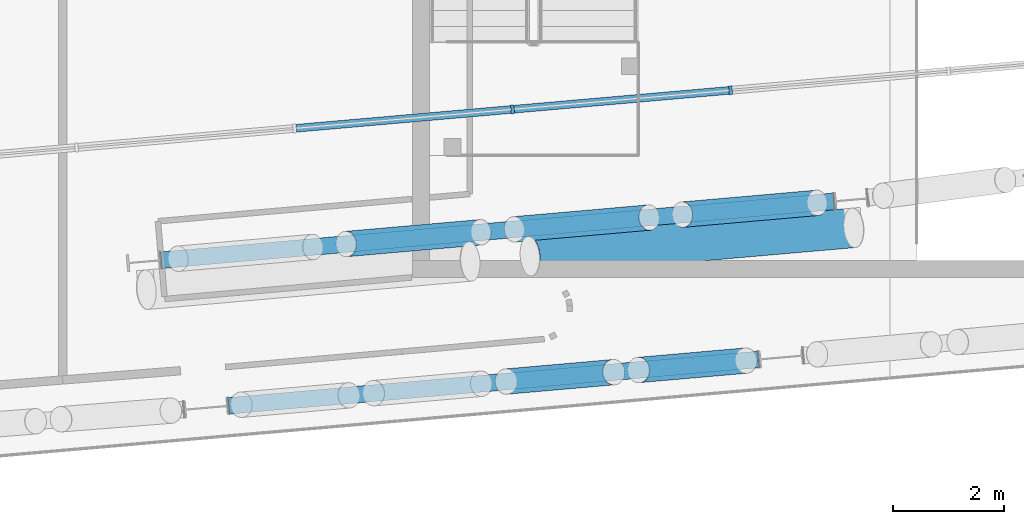
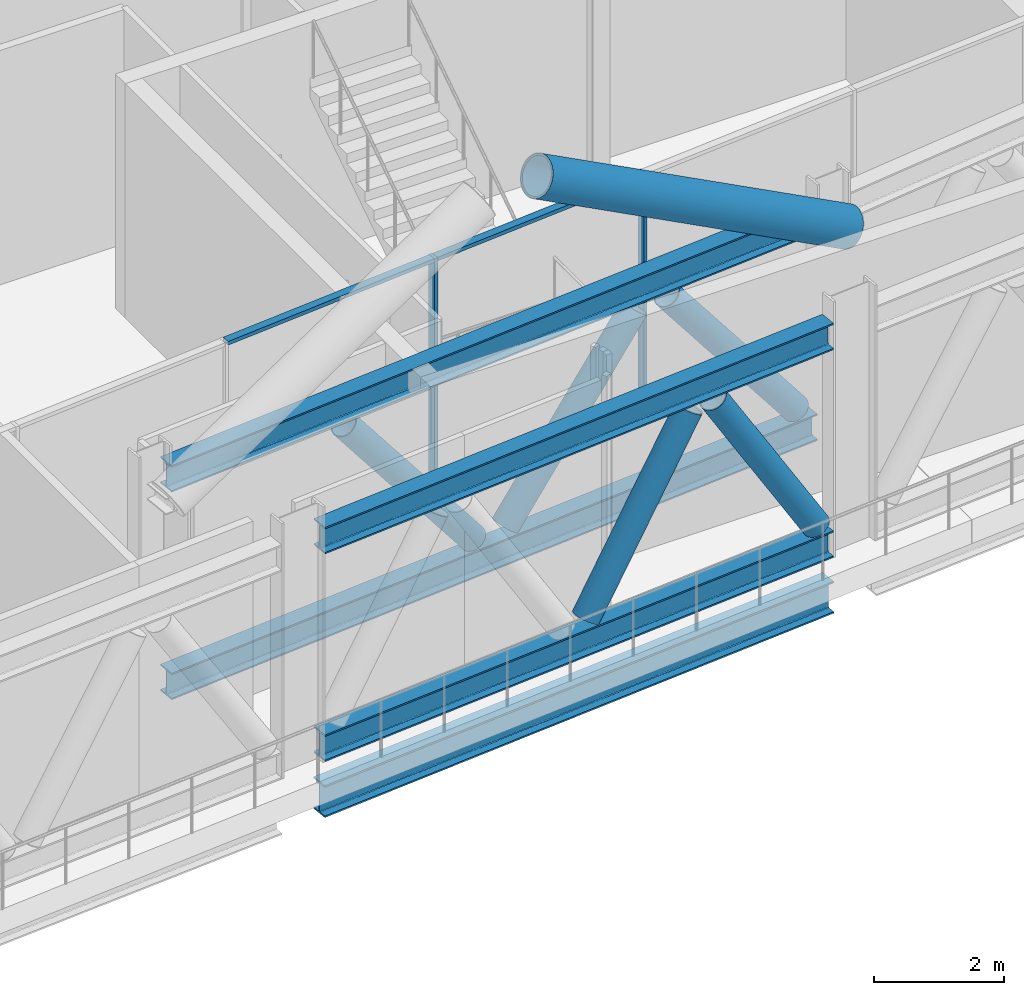
# One storey, part 8 of 42: 14 members, 1 beam, 1 element without a shape of its own.
"""IFC4 building model written with IfcOpenShell, lengths in metres."""

from ifc_helpers import new_model, si_unit, direction, frame, origin, origin_2d, place, context, subcontext, project, spatial, rectangle, hollow_circle, i_section, extrude, material, material_profile, profile_set, type_object, element, aggregate, save


model = new_model("IFC4")

# Units and contexts
model_context = context("Model", 3, precision=1e-05, world=origin(), true_north=direction((0.0, 1.0)))
body_context = subcontext(model_context, "Body", "Model", "MODEL_VIEW")
ifc_project = project(units=[si_unit("LENGTHUNIT", "METRE"), si_unit("AREAUNIT", "SQUARE_METRE"), si_unit("VOLUMEUNIT", "CUBIC_METRE"), si_unit("PLANEANGLEUNIT", "RADIAN"), si_unit("MASSUNIT", "GRAM", prefix="KILO")], contexts=[model_context])

# Site, building, storey
site_placement = place(None, origin())
site = spatial("IfcSite", under=ifc_project, at=site_placement, CompositionType="ELEMENT")
building_placement = place(site_placement, origin())
building = spatial("IfcBuilding", under=site, at=building_placement, Name="Wharfspan Tower", CompositionType="ELEMENT")
storey_placement = place(building_placement, frame((0.0, 0.0, 147.100098)))
storey = spatial("IfcBuildingStorey", under=building, at=storey_placement, Name="L35", CompositionType="ELEMENT", Elevation=147.100098)

# Beam
ifc_material_1 = material(Name="Steel S355J2", Category="steel")
ifc_material_profile_1 = material_profile(ifc_material_1, i_section(OverallWidth=0.300049, OverallDepth=0.600098, WebThickness=0.015381, FlangeThickness=0.030029, FilletRadius=0.0271, at=origin_2d()))
ifc_profile_set_1 = profile_set([ifc_material_profile_1], Name="Steel S355J2")
beam_type = type_object("IfcBeamType", Name="Edge beam HEB 600", PredefinedType="SPANDREL", material=ifc_profile_set_1)
beam_placement = place(storey_placement, frame((60.479492, -0.015625, -0.75), z_axis=(0.996194, 0.087164, 0.0), x_axis=(-0.087164, 0.996194, 0.0)))
element("IfcBeam", 1, at=beam_placement, inside=storey, type_object=beam_type, Name="Edge beam S2 L35 PS2.1 to PS2.2", PredefinedType="SPANDREL", context=body_context, shape_type="SweptSolid", body=[
    extrude(i_section(OverallWidth=0.300049, OverallDepth=0.600098, WebThickness=0.015381, FlangeThickness=0.030029, FilletRadius=0.0271, at=origin_2d()), origin(), (0.0, 0.0, 1.0), 9.55957),
])

# Curtain wall, members
ifc_material_2 = material(Name="Aluminium 6063-T6", Category="aluminium")
curtain_wall_type = type_object("IfcCurtainWallType", Name="CURTAIN WALL BAND RECESS", PredefinedType="NOTDEFINED", material=ifc_material_2)
curtain_wall_placement = place(storey_placement, origin())
curtain_wall = element("IfcCurtainWall", 2, at=curtain_wall_placement, inside=storey, type_object=curtain_wall_type, Name="Recess glazing R6", PredefinedType="NOTDEFINED")
ifc_material_profile_2 = material_profile(ifc_material_2, rectangle(XDim=0.159912, YDim=0.060059, at=origin_2d()))
ifc_profile_set_2 = profile_set([ifc_material_profile_2], Name="Aluminium 6063-T6")
member_type_1 = type_object("IfcMemberType", Name="MULLION BAND RECESS 60x160", PredefinedType="MULLION", material=ifc_profile_set_2)
member_1_placement = place(storey_placement, frame((69.496826, 5.653564, 0.0), z_axis=(0.0, 0.0, 1.0), x_axis=(0.087156, -0.996198, 0.0)))
member_1 = element("IfcMember", 3, at=member_1_placement, type_object=member_type_1, Name="Recess glazing R6 mullion 4", PredefinedType="MULLION", context=body_context, shape_type="SweptSolid", body=[
    extrude(rectangle(XDim=0.159912, YDim=0.060059, at=origin_2d()), origin(), (0.0, 0.0, 1.0), 4.399902),
])
member_2_placement = place(storey_placement, frame((65.580811, 5.311035, 0.0), z_axis=(0.0, 0.0, 1.0), x_axis=(0.087156, -0.996198, 0.0)))
member_2 = element("IfcMember", 4, at=member_2_placement, type_object=member_type_1, Name="Recess glazing R6 mullion 5", PredefinedType="MULLION", context=body_context, shape_type="SweptSolid", body=[
    extrude(rectangle(XDim=0.159912, YDim=0.060059, at=origin_2d()), origin(), (0.0, 0.0, 1.0), 4.399902),
])

# Member
ifc_material_3 = material(Name="Steel S460NH", Category="steel")
ifc_material_profile_3 = material_profile(ifc_material_3, hollow_circle(Radius=0.355469, WallThickness=0.035889, at=origin_2d()))
ifc_profile_set_3 = profile_set([ifc_material_profile_3], Name="Steel S460NH")
member_type_2 = type_object("IfcMemberType", Name="Mega brace CHS 711x36", PredefinedType="BRACE", material=ifc_profile_set_3)
member_3_placement = place(storey_placement, frame((71.706055, 3.181641, 4.099854), z_axis=(-0.867436, -0.075878, 0.491729), x_axis=(0.08714, -0.996196, -2e-06)))
element("IfcMember", 5, at=member_3_placement, inside=storey, type_object=member_type_2, Name="Mega brace S2 L36 part 3", PredefinedType="BRACE", context=body_context, shape_type="SweptSolid", body=[
    extrude(hollow_circle(Radius=0.355469, WallThickness=0.035889, at=origin_2d()), origin(), (0.0, 0.0, 1.0), 6.695801),
])

ifc_material_profile_4 = material_profile(ifc_material_2, rectangle(XDim=0.139893, YDim=0.070068, at=origin_2d()))
ifc_profile_set_4 = profile_set([ifc_material_profile_4], Name="Aluminium 6063-T6")
member_type_3 = type_object("IfcMemberType", Name="TRANSOM BAND RECESS 70x140", PredefinedType="USERDEFINED", material=ifc_profile_set_4)
member_4_placement = place(storey_placement, frame((69.467041, 5.650879, 4.36499), z_axis=(-0.996195, -0.087158, 0.0), x_axis=(0.087158, -0.996195, 0.0)))
member_4 = element("IfcMember", 6, at=member_4_placement, type_object=member_type_3, Name="Recess glazing R6 transom 4", ObjectType="TRANSOM", PredefinedType="USERDEFINED", context=body_context, shape_type="SweptSolid", body=[
    extrude(rectangle(XDim=0.139893, YDim=0.070068, at=origin_2d()), origin(), (0.0, 0.0, 1.0), 3.871094),
])

member_5_placement = place(storey_placement, frame((65.550781, 5.30835, 4.36499), z_axis=(-0.996195, -0.087158, 0.0), x_axis=(0.087158, -0.996195, 0.0)))
member_5 = element("IfcMember", 7, at=member_5_placement, type_object=member_type_3, Name="Recess glazing R6 transom 5", ObjectType="TRANSOM", PredefinedType="USERDEFINED", context=body_context, shape_type="SweptSolid", body=[
    extrude(rectangle(XDim=0.139893, YDim=0.070068, at=origin_2d()), origin(), (0.0, 0.0, 1.0), 3.871094),
])

aggregate(curtain_wall, [member_1, member_2, member_4, member_5])

# Members
ifc_material_profile_5 = material_profile(ifc_material_1, i_section(OverallWidth=0.300049, OverallDepth=0.5, WebThickness=0.014404, FlangeThickness=0.028076, FilletRadius=0.0271, at=origin_2d()))
ifc_profile_set_5 = profile_set([ifc_material_profile_5], Name="Steel S355J2")
member_type_4 = type_object("IfcMemberType", Name="Truss chord HEB 500", PredefinedType="CHORD", material=ifc_profile_set_5)
for number, where, z_axis, x_axis, name in (
    (8, (59.269531, 2.600586, 4.149902), (0.996195, 0.087152, 0.0), (-0.087152, 0.996195, 0.0), "Belt truss chord T L35 S2 PS2.1 to PS2.2"),
    (9, (59.269531, 2.600586, 0.25), (0.996195, 0.087152, 0.0), (-0.087152, 0.996195, 0.0), "Belt truss chord B L35 S2 PS2.1 to PS2.2"),
):
    element("IfcMember", number, at=place(storey_placement, frame(where, z_axis=z_axis, x_axis=x_axis)), inside=storey, type_object=member_type_4, Name=name, PredefinedType="CHORD", context=body_context, shape_type="SweptSolid", body=[
        extrude(i_section(OverallWidth=0.300049, OverallDepth=0.5, WebThickness=0.014404, FlangeThickness=0.028076, FilletRadius=0.0271, at=origin_2d()), origin(), (0.0, 0.0, 1.0), 12.129639),
    ])
for number, where, z_axis, x_axis, name in (
    (10, (60.483398, -0.015381, 4.149902), (0.996194, 0.087161, 0.0), (-0.087161, 0.996194, 0.0), "Belt truss chord T L35 S2 PS2.1.S to PS2.2.S"),
    (11, (60.483398, -0.015381, 0.25), (0.996194, 0.087161, 0.0), (-0.087161, 0.996194, 0.0), "Belt truss chord B L35 S2 PS2.1.S to PS2.2.S"),
):
    element("IfcMember", number, at=place(storey_placement, frame(where, z_axis=z_axis, x_axis=x_axis)), inside=storey, type_object=member_type_4, Name=name, PredefinedType="CHORD", context=body_context, shape_type="SweptSolid", body=[
        extrude(i_section(OverallWidth=0.300049, OverallDepth=0.5, WebThickness=0.014404, FlangeThickness=0.028076, FilletRadius=0.0271, at=origin_2d()), origin(), (0.0, 0.0, 1.0), 9.551514),
    ])
ifc_material_profile_6 = material_profile(ifc_material_3, hollow_circle(Radius=0.228516, WallThickness=0.016113, at=origin_2d()))
ifc_profile_set_6 = profile_set([ifc_material_profile_6], Name="Steel S460NH")
member_type_5 = type_object("IfcMemberType", Name="Truss diagonal CHS 457x16", PredefinedType="BRACE", material=ifc_profile_set_6)
member_6_placement = place(storey_placement, frame((62.592773, 2.891357, 3.759521), z_axis=(0.611494, 0.053507, -0.789438), x_axis=(-0.087165, 0.996192, 3e-06)))
element("IfcMember", 12, at=member_6_placement, inside=storey, type_object=member_type_5, Name="Belt truss diagonal L35 S2 PS2.1 to PS2.2 2", PredefinedType="BRACE", context=body_context, shape_type="SweptSolid", body=[
    extrude(hollow_circle(Radius=0.228516, WallThickness=0.016113, at=origin_2d()), origin(), (0.0, 0.0, 1.0), 3.951416),
])
member_7_placement = place(storey_placement, frame((65.613525, 3.155518, 0.640137), z_axis=(0.611533, 0.053505, 0.789408), x_axis=(-0.087158, 0.996198, -2e-06)))
element("IfcMember", 13, at=member_7_placement, inside=storey, type_object=member_type_5, Name="Belt truss diagonal L35 S2 PS2.1 to PS2.2 3", PredefinedType="BRACE", context=body_context, shape_type="SweptSolid", body=[
    extrude(hollow_circle(Radius=0.228516, WallThickness=0.016113, at=origin_2d()), origin(), (0.0, 0.0, 1.0), 3.95166),
])
member_8_placement = place(storey_placement, frame((68.634521, 3.419922, 3.759521), z_axis=(0.611494, 0.053507, -0.789438), x_axis=(-0.087165, 0.996192, 3e-06)))
element("IfcMember", 14, at=member_8_placement, inside=storey, type_object=member_type_5, Name="Belt truss diagonal L35 S2 PS2.1 to PS2.2 4", PredefinedType="BRACE", context=body_context, shape_type="SweptSolid", body=[
    extrude(hollow_circle(Radius=0.228516, WallThickness=0.016113, at=origin_2d()), origin(), (0.0, 0.0, 1.0), 3.951416),
])
member_9_placement = place(storey_placement, frame((65.466309, 0.420654, 0.619141), z_axis=(0.520177, 0.045511, 0.852845), x_axis=(-0.087157, 0.996197, -1e-06)))
element("IfcMember", 15, at=member_9_placement, inside=storey, type_object=member_type_5, Name="Belt truss diagonal L35 S2 PS2.1.S to PS2.2.S 3", PredefinedType="BRACE", context=body_context, shape_type="SweptSolid", body=[
    extrude(hollow_circle(Radius=0.228516, WallThickness=0.016113, at=origin_2d()), origin(), (0.0, 0.0, 1.0), 3.706787),
])
member_10_placement = place(storey_placement, frame((67.844971, 0.628662, 3.780518), z_axis=(0.520225, 0.045509, -0.852816), x_axis=(-0.087148, 0.996192, -1e-06)))
element("IfcMember", 16, at=member_10_placement, inside=storey, type_object=member_type_5, Name="Belt truss diagonal L35 S2 PS2.1.S to PS2.2.S 4", PredefinedType="BRACE", context=body_context, shape_type="SweptSolid", body=[
    extrude(hollow_circle(Radius=0.228516, WallThickness=0.016113, at=origin_2d()), origin(), (0.0, 0.0, 1.0), 3.707031),
])

save(model, "model.ifc")
